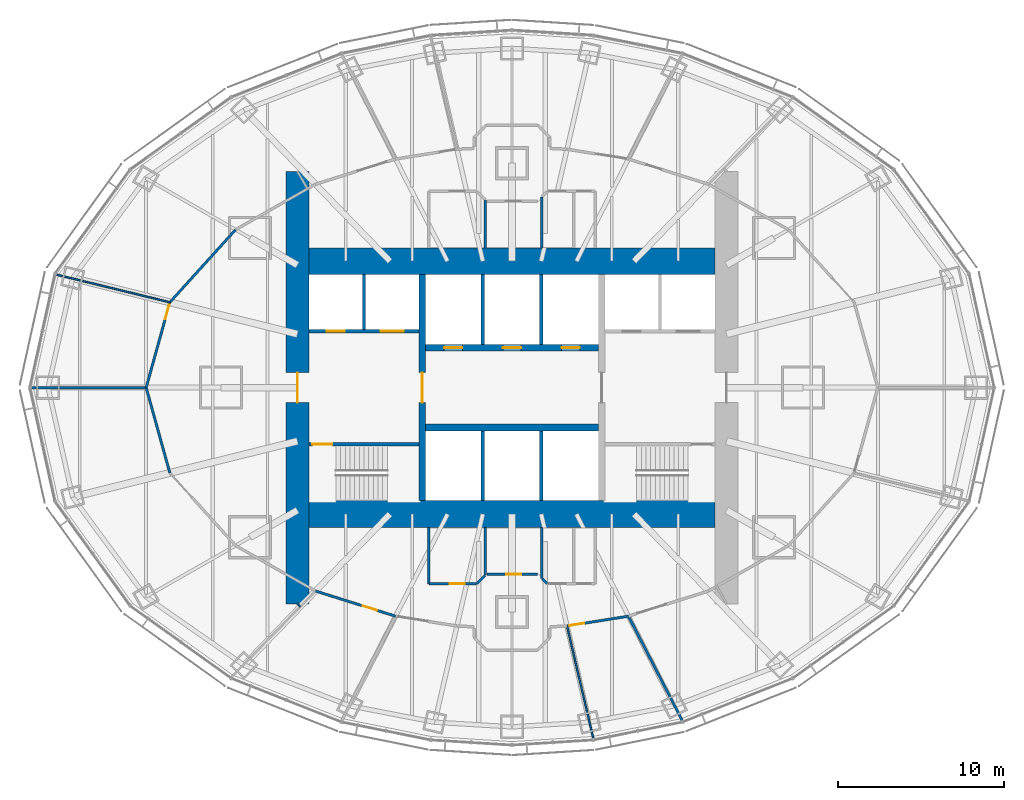
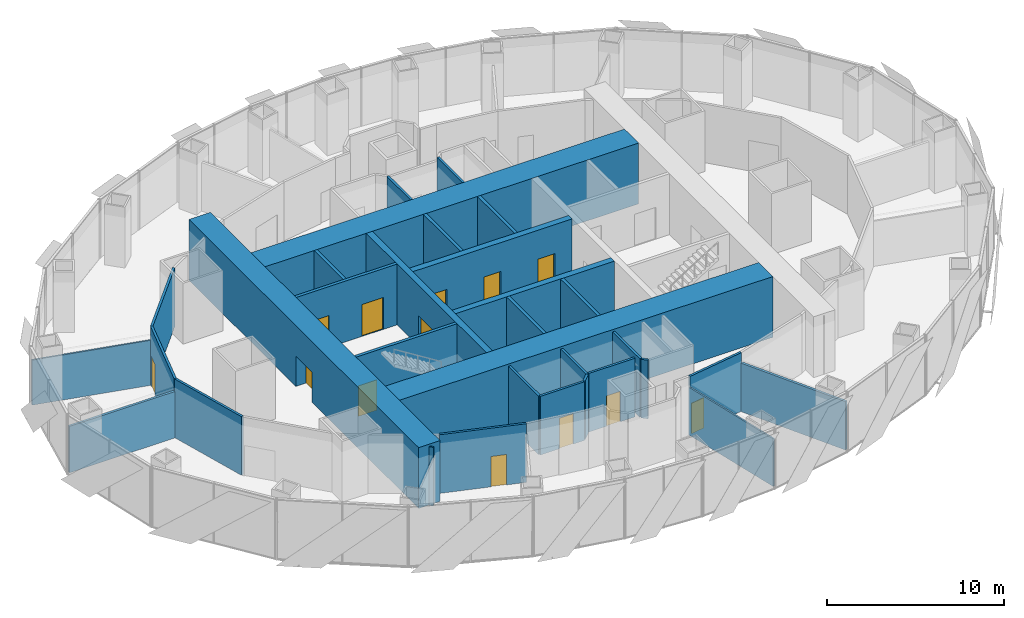
# One storey, part 11 of 18: 32 walls, 13 doors, 13 openings.
"""IFC4 building model written with IfcOpenShell, lengths in metres."""

from ifc_helpers import new_model, si_unit, direction, frame, frame_2d, origin, place, context, subcontext, project, spatial, rectangle, extrude, material, layer, layer_set, type_object, element, fill, save


model = new_model("IFC4")

# Units and contexts
model_context = context("Model", 3, precision=1e-05, world=origin(), true_north=direction((0.0, 1.0)))
body_context = subcontext(model_context, "Body", "Model", "MODEL_VIEW")
ifc_project = project(units=[si_unit("LENGTHUNIT", "METRE"), si_unit("AREAUNIT", "SQUARE_METRE"), si_unit("VOLUMEUNIT", "CUBIC_METRE"), si_unit("PLANEANGLEUNIT", "RADIAN"), si_unit("MASSUNIT", "GRAM", prefix="KILO")], contexts=[model_context])

# Site, building, storey
site_placement = place(None, origin())
site = spatial("IfcSite", under=ifc_project, at=site_placement, CompositionType="ELEMENT")
building_placement = place(site_placement, origin())
building = spatial("IfcBuilding", under=site, at=building_placement, Name="Lantaw Convention Tower", CompositionType="ELEMENT")
storey_placement = place(building_placement, frame((0.0, 0.0, 167.800048828125)))
storey = spatial("IfcBuildingStorey", under=building, at=storey_placement, Name="L39", CompositionType="ELEMENT", Elevation=167.800048828125)

# Wall, opening, door
ifc_material_1 = material(Name="Concrete C60/75", Category="concrete")
ifc_layer_1 = layer(ifc_material_1, 1.39990234375)
ifc_layer_set_1 = layer_set([ifc_layer_1], Name="Core wall 1400")
wall_type_1 = type_object("IfcWallType", Name="Core wall 1400", PredefinedType="SHEAR", material=ifc_layer_set_1)
wall_1_placement = place(storey_placement, frame((-12.89990234375, 13.0, 0.0), z_axis=(0.0, 0.0, 1.0), x_axis=(0.0, -1.0, 0.0)))
wall_1 = element("IfcWall", 1, at=wall_1_placement, inside=storey, type_object=wall_type_1, Name="Core wall W", PredefinedType="SHEAR", context=body_context, shape_type="SweptSolid", body=[
    extrude(rectangle(XDim=26.0, YDim=1.39990234375, at=frame_2d((13.0, 0.0))), origin(), (0.0, 0.0, 1.0), 4.199951171875),
])
opening_1_placement = place(wall_1_placement, frame((12.10009765625, 0.0, 0.0)))
opening_1 = element("IfcOpeningElement", 2, at=opening_1_placement, cuts=wall_1, Name="Opening L39.06", PredefinedType="OPENING", context=body_context, shape_type="SweptSolid", body=[
    extrude(rectangle(XDim=1.800048828125, YDim=2.10009765625, at=frame_2d((0.89990234375, 1.050048828125))), frame((0.0, 0.7099609375, 0.0), z_axis=(0.0, -1.0, 0.0), x_axis=(1.0, 0.0, 0.0)), (0.0, 0.0, 1.0), 1.419921875),
])
ifc_material_2 = material(Name="Steel, fire rated", Category="steel")
door_type_1 = type_object("IfcDoorType", Name="Lobby double door FD90", OperationType="DOUBLE_DOOR_DOUBLE_SWING", PredefinedType="DOOR", material=ifc_material_2)
door_1_placement = place(opening_1_placement, origin())
door_1 = element("IfcDoor", 3, at=door_1_placement, inside=storey, type_object=door_type_1, Name="Firefighting lobby door", OperationType="DOUBLE_DOOR_DOUBLE_SWING", OverallHeight=2.10009765625, OverallWidth=1.800048828125, PredefinedType="DOOR", context=body_context, shape_type="SweptSolid", body=[
    extrude(rectangle(XDim=1.800048828125, YDim=2.10009765625, at=frame_2d((0.89990234375, 1.050048828125))), frame((0.0, 0.02490234375, 0.0), z_axis=(0.0, -1.0, 0.0), x_axis=(1.0, 0.0, 0.0)), (0.0, 0.0, 1.0), 0.050048828125),
])
fill(opening_1, door_1)

# Walls
ifc_layer_2 = layer(ifc_material_1, 1.60009765625)
ifc_layer_set_2 = layer_set([ifc_layer_2], Name="Core wall 1600")
wall_type_2 = type_object("IfcWallType", Name="Core wall 1600", PredefinedType="SHEAR", material=ifc_layer_set_2)
for number, where, z_axis, x_axis, name in (
    (4, (-12.199951171875, -7.60009765625, 0.0), (0.0, 0.0, 1.0), (1.0, 0.0, 0.0), "Core wall S"),
    (5, (12.199951171875, 7.60009765625, 0.0), (0.0, 0.0, 1.0), (-1.0, 0.0, 0.0), "Core wall N"),
):
    element("IfcWall", number, at=place(storey_placement, frame(where, z_axis=z_axis, x_axis=x_axis)), inside=storey, type_object=wall_type_2, Name=name, PredefinedType="SHEAR", context=body_context, shape_type="SweptSolid", body=[
        extrude(rectangle(XDim=24.39990234375, YDim=1.60009765625, at=frame_2d((12.199951171875, 0.0))), origin(), (0.0, 0.0, 1.0), 4.199951171875),
    ])

# Wall, opening, door
ifc_layer_3 = layer(ifc_material_1, 0.199951171875)
ifc_layer_set_3 = layer_set([ifc_layer_3], Name="Core wall 200")
wall_type_3 = type_object("IfcWallType", Name="Core wall 200", PredefinedType="SHEAR", material=ifc_layer_set_3)
wall_2_placement = place(storey_placement, frame((-5.60009765625, -3.39990234375, 0.0), z_axis=(0.0, 0.0, 1.0), x_axis=(-1.0, 0.0, 0.0)))
wall_2 = element("IfcWall", 6, at=wall_2_placement, inside=storey, type_object=wall_type_3, Name="Core wall WS", PredefinedType="SHEAR", context=body_context, shape_type="SweptSolid", body=[
    extrude(rectangle(XDim=6.599853515625, YDim=0.199951171875, at=frame_2d((3.2998046875, 0.0))), origin(), (0.0, 0.0, 1.0), 4.199951171875),
])
opening_2_placement = place(wall_2_placement, frame((5.199951171875, 0.0, 0.0)))
opening_2 = element("IfcOpeningElement", 7, at=opening_2_placement, cuts=wall_2, Name="Opening L39.04", PredefinedType="OPENING", context=body_context, shape_type="SweptSolid", body=[
    extrude(rectangle(XDim=1.199951171875, YDim=2.10009765625, at=frame_2d((0.60009765625, 1.050048828125))), frame((0.0, 0.10986328125, 0.0), z_axis=(0.0, -1.0, 0.0), x_axis=(1.0, 0.0, 0.0)), (0.0, 0.0, 1.0), 0.219970703125),
])
door_type_2 = type_object("IfcDoorType", Name="Stair door FD90", OperationType="SINGLE_SWING_RIGHT", PredefinedType="DOOR", material=ifc_material_2)
door_2_placement = place(opening_2_placement, origin())
door_2 = element("IfcDoor", 8, at=door_2_placement, inside=storey, type_object=door_type_2, Name="Exit stair door", OperationType="SINGLE_SWING_RIGHT", OverallHeight=2.10009765625, OverallWidth=1.199951171875, PredefinedType="DOOR", context=body_context, shape_type="SweptSolid", body=[
    extrude(rectangle(XDim=1.199951171875, YDim=2.10009765625, at=frame_2d((0.60009765625, 1.050048828125))), frame((0.0, 0.02490234375, 0.0), z_axis=(0.0, -1.0, 0.0), x_axis=(1.0, 0.0, 0.0)), (0.0, 0.0, 1.0), 0.050048828125),
])
fill(opening_2, door_2)

ifc_layer_4 = layer(ifc_material_1, 0.39990234375)
ifc_layer_set_4 = layer_set([ifc_layer_4], Name="Core wall 400")
wall_type_4 = type_object("IfcWallType", Name="Core wall 400", PredefinedType="SHEAR", material=ifc_layer_set_4)
wall_3_placement = place(storey_placement, frame((-5.39990234375, 6.800048828125, 0.0), z_axis=(0.0, 0.0, 1.0), x_axis=(0.0, -1.0, 0.0)))
wall_3 = element("IfcWall", 9, at=wall_3_placement, inside=storey, type_object=wall_type_4, Name="Core wall XW", PredefinedType="SHEAR", context=body_context, shape_type="SweptSolid", body=[
    extrude(rectangle(XDim=13.60009765625, YDim=0.39990234375, at=frame_2d((6.800048828125, 0.0))), origin(), (0.0, 0.0, 1.0), 4.199951171875),
])
opening_3_placement = place(wall_3_placement, frame((5.89990234375, 0.0, 0.0)))
opening_3 = element("IfcOpeningElement", 10, at=opening_3_placement, cuts=wall_3, Name="Opening L39.02", PredefinedType="OPENING", context=body_context, shape_type="SweptSolid", body=[
    extrude(rectangle(XDim=1.800048828125, YDim=2.10009765625, at=frame_2d((0.89990234375, 1.050048828125))), frame((0.0, 0.2099609375, 0.0), z_axis=(0.0, -1.0, 0.0), x_axis=(1.0, 0.0, 0.0)), (0.0, 0.0, 1.0), 0.419921875),
])
door_3_placement = place(opening_3_placement, origin())
door_3 = element("IfcDoor", 11, at=door_3_placement, inside=storey, type_object=door_type_1, Name="Lift lobby door", OperationType="DOUBLE_DOOR_DOUBLE_SWING", OverallHeight=2.10009765625, OverallWidth=1.800048828125, PredefinedType="DOOR", context=body_context, shape_type="SweptSolid", body=[
    extrude(rectangle(XDim=1.800048828125, YDim=2.10009765625, at=frame_2d((0.89990234375, 1.050048828125))), frame((0.0, 0.02490234375, 0.0), z_axis=(0.0, -1.0, 0.0), x_axis=(1.0, 0.0, 0.0)), (0.0, 0.0, 1.0), 0.050048828125),
])
fill(opening_3, door_3)

# Wall
wall_4_placement = place(storey_placement, frame((-5.199951171875, -2.39990234375, 0.0), z_axis=(0.0, 0.0, 1.0), x_axis=(1.0, 0.0, 0.0)))
element("IfcWall", 12, at=wall_4_placement, inside=storey, type_object=wall_type_4, Name="Core wall BS", PredefinedType="SHEAR", context=body_context, shape_type="SweptSolid", body=[
    extrude(rectangle(XDim=10.39990234375, YDim=0.39990234375, at=frame_2d((5.199951171875, 0.0))), origin(), (0.0, 0.0, 1.0), 4.199951171875),
])

# Wall, openings, doors
wall_5_placement = place(storey_placement, frame((5.199951171875, 2.39990234375, 0.0), z_axis=(0.0, 0.0, 1.0), x_axis=(-1.0, 0.0, 0.0)))
wall_5 = element("IfcWall", 13, at=wall_5_placement, inside=storey, type_object=wall_type_4, Name="Core wall BN", PredefinedType="SHEAR", context=body_context, shape_type="SweptSolid", body=[
    extrude(rectangle(XDim=10.39990234375, YDim=0.39990234375, at=frame_2d((5.199951171875, 0.0))), origin(), (0.0, 0.0, 1.0), 4.199951171875),
])
opening_4_placement = place(wall_5_placement, frame((8.183349609375, 0.0, 0.0)))
opening_4 = element("IfcOpeningElement", 14, at=opening_4_placement, cuts=wall_5, Name="Opening L39.07", PredefinedType="OPENING", context=body_context, shape_type="SweptSolid", body=[
    extrude(rectangle(XDim=1.10009765625, YDim=2.199951171875, at=frame_2d((0.550048828125, 1.10009765625))), frame((0.0, 0.2099609375, 0.0), z_axis=(0.0, -1.0, 0.0), x_axis=(1.0, 0.0, 0.0)), (0.0, 0.0, 1.0), 0.419921875),
])
opening_5_placement = place(wall_5_placement, frame((4.64990234375, 0.0, 0.0)))
opening_5 = element("IfcOpeningElement", 15, at=opening_5_placement, cuts=wall_5, Name="Opening L39.08", PredefinedType="OPENING", context=body_context, shape_type="SweptSolid", body=[
    extrude(rectangle(XDim=1.10009765625, YDim=2.199951171875, at=frame_2d((0.550048828125, 1.10009765625))), frame((0.0, 0.2099609375, 0.0), z_axis=(0.0, -1.0, 0.0), x_axis=(1.0, 0.0, 0.0)), (0.0, 0.0, 1.0), 0.419921875),
])
opening_6_placement = place(wall_5_placement, frame((1.11669921875, 0.0, 0.0)))
opening_6 = element("IfcOpeningElement", 16, at=opening_6_placement, cuts=wall_5, Name="Opening L39.09", PredefinedType="OPENING", context=body_context, shape_type="SweptSolid", body=[
    extrude(rectangle(XDim=1.10009765625, YDim=2.199951171875, at=frame_2d((0.550048828125, 1.10009765625))), frame((0.0, 0.2099609375, 0.0), z_axis=(0.0, -1.0, 0.0), x_axis=(1.0, 0.0, 0.0)), (0.0, 0.0, 1.0), 0.419921875),
])
ifc_material_3 = material(Name="Stainless steel", Category="steel")
door_type_3 = type_object("IfcDoorType", Name="Lift landing door 1100", OperationType="DOUBLE_DOOR_SLIDING", PredefinedType="DOOR", material=ifc_material_3)
door_4_placement = place(opening_4_placement, origin())
door_4 = element("IfcDoor", 17, at=door_4_placement, inside=storey, type_object=door_type_3, Name="Lift landing door N1", OperationType="DOUBLE_DOOR_SLIDING", OverallHeight=2.199951171875, OverallWidth=1.10009765625, PredefinedType="DOOR", context=body_context, shape_type="SweptSolid", body=[
    extrude(rectangle(XDim=1.10009765625, YDim=2.199951171875, at=frame_2d((0.550048828125, 1.10009765625))), frame((0.0, 0.02490234375, 0.0), z_axis=(0.0, -1.0, 0.0), x_axis=(1.0, 0.0, 0.0)), (0.0, 0.0, 1.0), 0.050048828125),
])
fill(opening_4, door_4)
door_5_placement = place(opening_5_placement, origin())
door_5 = element("IfcDoor", 18, at=door_5_placement, inside=storey, type_object=door_type_3, Name="Lift landing door N2", OperationType="DOUBLE_DOOR_SLIDING", OverallHeight=2.199951171875, OverallWidth=1.10009765625, PredefinedType="DOOR", context=body_context, shape_type="SweptSolid", body=[
    extrude(rectangle(XDim=1.10009765625, YDim=2.199951171875, at=frame_2d((0.550048828125, 1.10009765625))), frame((0.0, 0.02490234375, 0.0), z_axis=(0.0, -1.0, 0.0), x_axis=(1.0, 0.0, 0.0)), (0.0, 0.0, 1.0), 0.050048828125),
])
fill(opening_5, door_5)
door_6_placement = place(opening_6_placement, origin())
door_6 = element("IfcDoor", 19, at=door_6_placement, inside=storey, type_object=door_type_3, Name="Lift landing door N3", OperationType="DOUBLE_DOOR_SLIDING", OverallHeight=2.199951171875, OverallWidth=1.10009765625, PredefinedType="DOOR", context=body_context, shape_type="SweptSolid", body=[
    extrude(rectangle(XDim=1.10009765625, YDim=2.199951171875, at=frame_2d((0.550048828125, 1.10009765625))), frame((0.0, 0.02490234375, 0.0), z_axis=(0.0, -1.0, 0.0), x_axis=(1.0, 0.0, 0.0)), (0.0, 0.0, 1.0), 0.050048828125),
])
fill(opening_6, door_6)

# Wall
ifc_material_4 = material(Name="Gypsum board on steel studs, fire rated", Category="steel")
ifc_layer_5 = layer(ifc_material_4, 0.14990234375)
ifc_layer_set_5 = layer_set([ifc_layer_5], Name="Corridor wall 150 EI 60")
wall_type_5 = type_object("IfcWallType", Name="Corridor wall 150 EI 60", PredefinedType="PARTITIONING", material=ifc_layer_set_5)
wall_6_placement = place(storey_placement, frame((-16.62255859375, 9.49853515625, 0.0), z_axis=(0.0, 0.0, 1.0), x_axis=(-0.671118353743, -0.741350224435, 0.0)))
element("IfcWall", 20, at=wall_6_placement, inside=storey, type_object=wall_type_5, Name="Corridor wall 150", PredefinedType="PARTITIONING", context=body_context, shape_type="SweptSolid", body=[
    extrude(rectangle(XDim=5.89208984375, YDim=0.14990234375, at=frame_2d((2.946044921875, 0.0))), origin(), (0.0, 0.0, 1.0), 4.050048828125),
])

# Wall, opening, door
wall_7_placement = place(storey_placement, frame((-20.576904296875, 5.13037109375, 0.0), z_axis=(0.0, 0.0, 1.0), x_axis=(-0.267293817428, -0.963615076244, 0.0)))
wall_7 = element("IfcWall", 21, at=wall_7_placement, inside=storey, type_object=wall_type_5, Name="Corridor wall 150", PredefinedType="PARTITIONING", context=body_context, shape_type="SweptSolid", body=[
    extrude(rectangle(XDim=5.323974609375, YDim=0.14990234375, at=frame_2d((2.662109375, 0.0))), origin(), (0.0, 0.0, 1.0), 4.050048828125),
])
opening_7_placement = place(wall_7_placement, frame((0.14990234375, 0.0, 0.0)))
opening_7 = element("IfcOpeningElement", 22, at=opening_7_placement, cuts=wall_7, Name="Opening L39.27", PredefinedType="OPENING", context=body_context, shape_type="SweptSolid", body=[
    extrude(rectangle(XDim=0.89990234375, YDim=2.10009765625, at=frame_2d((0.449951171875, 1.050048828125))), frame((0.0, 0.0849609375, 0.0), z_axis=(0.0, -1.0, 0.0), x_axis=(1.0, 0.0, 0.0)), (0.0, 0.0, 1.0), 0.169921875),
])
door_type_4 = type_object("IfcDoorType", Name="Office door 900 FD30", OperationType="SINGLE_SWING_LEFT", PredefinedType="DOOR", material=ifc_material_2)
door_7_placement = place(opening_7_placement, origin())
door_7 = element("IfcDoor", 23, at=door_7_placement, inside=storey, type_object=door_type_4, Name="Meeting room door", OperationType="SINGLE_SWING_LEFT", OverallHeight=2.10009765625, OverallWidth=0.89990234375, PredefinedType="DOOR", context=body_context, shape_type="SweptSolid", body=[
    extrude(rectangle(XDim=0.89990234375, YDim=2.10009765625, at=frame_2d((0.449951171875, 1.050048828125))), frame((0.0, 0.02490234375, 0.0), z_axis=(0.0, -1.0, 0.0), x_axis=(1.0, 0.0, 0.0)), (0.0, 0.0, 1.0), 0.050048828125),
])
fill(opening_7, door_7)

# Wall
wall_8_placement = place(storey_placement, frame((-22.0, 0.0, 0.0), z_axis=(0.0, 0.0, 1.0), x_axis=(0.267293817428, -0.963615076244, 0.0)))
element("IfcWall", 24, at=wall_8_placement, inside=storey, type_object=wall_type_5, Name="Corridor wall 150", PredefinedType="PARTITIONING", context=body_context, shape_type="SweptSolid", body=[
    extrude(rectangle(XDim=5.323974609375, YDim=0.14990234375, at=frame_2d((2.662109375, 0.0))), origin(), (0.0, 0.0, 1.0), 4.050048828125),
])

# Wall, opening, door
wall_9_placement = place(storey_placement, frame((-11.812744140625, -12.232421875, 0.0), z_axis=(0.0, 0.0, 1.0), x_axis=(0.953893934057, -0.300143903101, 0.0)))
wall_9 = element("IfcWall", 25, at=wall_9_placement, inside=storey, type_object=wall_type_5, Name="Corridor wall 150", PredefinedType="PARTITIONING", context=body_context, shape_type="SweptSolid", body=[
    extrude(rectangle(XDim=5.04150390625, YDim=0.14990234375, at=frame_2d((2.520751953125, 0.0))), origin(), (0.0, 0.0, 1.0), 4.050048828125),
])
opening_8_placement = place(wall_9_placement, frame((2.98046875, 0.0, 0.0)))
opening_8 = element("IfcOpeningElement", 26, at=opening_8_placement, cuts=wall_9, Name="Opening L39.29", PredefinedType="OPENING", context=body_context, shape_type="SweptSolid", body=[
    extrude(rectangle(XDim=0.89990234375, YDim=2.10009765625, at=frame_2d((0.449951171875, 1.050048828125))), frame((0.0, 0.0849609375, 0.0), z_axis=(0.0, -1.0, 0.0), x_axis=(1.0, 0.0, 0.0)), (0.0, 0.0, 1.0), 0.169921875),
])
door_8_placement = place(opening_8_placement, origin())
door_8 = element("IfcDoor", 27, at=door_8_placement, inside=storey, type_object=door_type_4, Name="Meeting room door", OperationType="SINGLE_SWING_LEFT", OverallHeight=2.10009765625, OverallWidth=0.89990234375, PredefinedType="DOOR", context=body_context, shape_type="SweptSolid", body=[
    extrude(rectangle(XDim=0.89990234375, YDim=2.10009765625, at=frame_2d((0.449951171875, 1.050048828125))), frame((0.0, 0.02490234375, 0.0), z_axis=(0.0, -1.0, 0.0), x_axis=(1.0, 0.0, 0.0)), (0.0, 0.0, 1.0), 0.050048828125),
])
fill(opening_8, door_8)

wall_10_placement = place(storey_placement, frame((3.3095703125, -14.3349609375, 0.0), z_axis=(0.0, 0.0, 1.0), x_axis=(0.987511396594, 0.157547585181, 0.0)))
wall_10 = element("IfcWall", 28, at=wall_10_placement, inside=storey, type_object=wall_type_5, Name="Corridor wall 150", PredefinedType="PARTITIONING", context=body_context, shape_type="SweptSolid", body=[
    extrude(rectangle(XDim=3.74072265625, YDim=0.14990234375, at=frame_2d((1.870361328125, 0.0))), origin(), (0.0, 0.0, 1.0), 4.050048828125),
])
opening_9_placement = place(wall_10_placement, frame((0.14990234375, 0.0, 0.0)))
opening_9 = element("IfcOpeningElement", 29, at=opening_9_placement, cuts=wall_10, Name="Opening L39.31", PredefinedType="OPENING", context=body_context, shape_type="SweptSolid", body=[
    extrude(rectangle(XDim=0.89990234375, YDim=2.10009765625, at=frame_2d((0.449951171875, 1.050048828125))), frame((0.0, 0.0849609375, 0.0), z_axis=(0.0, -1.0, 0.0), x_axis=(1.0, 0.0, 0.0)), (0.0, 0.0, 1.0), 0.169921875),
])
door_9_placement = place(opening_9_placement, origin())
door_9 = element("IfcDoor", 30, at=door_9_placement, inside=storey, type_object=door_type_4, Name="Meeting room door", OperationType="SINGLE_SWING_LEFT", OverallHeight=2.10009765625, OverallWidth=0.89990234375, PredefinedType="DOOR", context=body_context, shape_type="SweptSolid", body=[
    extrude(rectangle(XDim=0.89990234375, YDim=2.10009765625, at=frame_2d((0.449951171875, 1.050048828125))), frame((0.0, 0.02490234375, 0.0), z_axis=(0.0, -1.0, 0.0), x_axis=(1.0, 0.0, 0.0)), (0.0, 0.0, 1.0), 0.050048828125),
])
fill(opening_9, door_9)

# Walls
ifc_material_5 = material(Name="Gypsum board on steel studs, acoustic", Category="steel")
ifc_layer_6 = layer(ifc_material_5, 0.10009765625)
ifc_layer_set_6 = layer_set([ifc_layer_6], Name="Office partition 100")
wall_type_6 = type_object("IfcWallType", Name="Office partition 100", PredefinedType="PARTITIONING", material=ifc_layer_set_6)
wall_11_placement = place(storey_placement, frame((-27.440673828125, 6.808837890625, 0.0), z_axis=(0.0, 0.0, 1.0), x_axis=(0.971377572955, -0.237540755996, 0.0)))
element("IfcWall", 31, at=wall_11_placement, inside=storey, type_object=wall_type_6, Name="Office partition 100", PredefinedType="PARTITIONING", context=body_context, shape_type="SweptSolid", body=[
    extrude(rectangle(XDim=7.06591796875, YDim=0.10009765625, at=frame_2d((3.532958984375, 0.0))), origin(), (0.0, 0.0, 1.0), 3.11279296875),
])
wall_12_placement = place(storey_placement, frame((4.89697265625, -21.134765625, 0.0), z_axis=(0.0, 0.0, 1.0), x_axis=(-0.22733572198, 0.973816445493, 0.0)))
element("IfcWall", 32, at=wall_12_placement, inside=storey, type_object=wall_type_6, Name="Office partition 100", PredefinedType="PARTITIONING", context=body_context, shape_type="SweptSolid", body=[
    extrude(rectangle(XDim=6.982666015625, YDim=0.10009765625, at=frame_2d((3.4912109375, 0.0))), origin(), (0.0, 0.0, 1.0), 3.29296875),
])
wall_13_placement = place(storey_placement, frame((-12.89990234375, -13.0, 0.0), z_axis=(0.0, 0.0, 1.0), x_axis=(0.714690391061, -0.699440951707, 0.0)))
element("IfcWall", 33, at=wall_13_placement, inside=storey, type_object=wall_type_6, Name="Office partition 100", PredefinedType="PARTITIONING", context=body_context, shape_type="SweptSolid", body=[
    extrude(rectangle(XDim=0.240234375, YDim=0.10009765625, at=frame_2d((0.1201171875, 0.0))), origin(), (0.0, 0.0, 1.0), 4.050048828125),
])
ifc_material_6 = material(Name="Concrete blockwork, fire rated", Category="masonry")
ifc_layer_7 = layer(ifc_material_6, 0.199951171875)
ifc_layer_set_7 = layer_set([ifc_layer_7], Name="Shaft wall 200")
wall_type_7 = type_object("IfcWallType", Name="Shaft wall 200", PredefinedType="SOLIDWALL", material=ifc_layer_set_7)
for number, where, z_axis, x_axis, name in (
    (34, (-1.7666015625, 2.60009765625, 0.0), (0.0, 0.0, 1.0), (0.0, 1.0, 0.0), "Shaft wall DN1"),
    (35, (1.7666015625, 2.60009765625, 0.0), (0.0, 0.0, 1.0), (0.0, 1.0, 0.0), "Shaft wall DN2"),
):
    element("IfcWall", number, at=place(storey_placement, frame(where, z_axis=z_axis, x_axis=x_axis)), inside=storey, type_object=wall_type_7, Name=name, PredefinedType="SOLIDWALL", context=body_context, shape_type="SweptSolid", body=[
        extrude(rectangle(XDim=4.199951171875, YDim=0.199951171875, at=frame_2d((2.10009765625, 0.0))), origin(), (0.0, 0.0, 1.0), 4.199951171875),
    ])

# Wall, openings, doors
wall_14_placement = place(storey_placement, frame((-12.199951171875, 3.39990234375, 0.0), z_axis=(0.0, 0.0, 1.0), x_axis=(1.0, 0.0, 0.0)))
wall_14 = element("IfcWall", 36, at=wall_14_placement, inside=storey, type_object=wall_type_7, Name="Shaft wall WN", PredefinedType="SOLIDWALL", context=body_context, shape_type="SweptSolid", body=[
    extrude(rectangle(XDim=6.599853515625, YDim=0.199951171875, at=frame_2d((3.2998046875, 0.0))), origin(), (0.0, 0.0, 1.0), 4.199951171875),
])
opening_10_placement = place(wall_14_placement, frame((1.050048828125, 0.0, 0.0)))
opening_10 = element("IfcOpeningElement", 37, at=opening_10_placement, cuts=wall_14, Name="Opening L39.10", PredefinedType="OPENING", context=body_context, shape_type="SweptSolid", body=[
    extrude(rectangle(XDim=1.10009765625, YDim=2.199951171875, at=frame_2d((0.550048828125, 1.10009765625))), frame((0.0, 0.10986328125, 0.0), z_axis=(0.0, -1.0, 0.0), x_axis=(1.0, 0.0, 0.0)), (0.0, 0.0, 1.0), 0.219970703125),
])
opening_11_placement = place(wall_14_placement, frame((4.300048828125, 0.0, 0.0)))
opening_11 = element("IfcOpeningElement", 38, at=opening_11_placement, cuts=wall_14, Name="Opening L39.11", PredefinedType="OPENING", context=body_context, shape_type="SweptSolid", body=[
    extrude(rectangle(XDim=1.39990234375, YDim=2.199951171875, at=frame_2d((0.699951171875, 1.10009765625))), frame((0.0, 0.10986328125, 0.0), z_axis=(0.0, -1.0, 0.0), x_axis=(1.0, 0.0, 0.0)), (0.0, 0.0, 1.0), 0.219970703125),
])
door_10_placement = place(opening_10_placement, origin())
door_10 = element("IfcDoor", 39, at=door_10_placement, inside=storey, type_object=door_type_3, Name="Lift landing door FF1", OperationType="DOUBLE_DOOR_SLIDING", OverallHeight=2.199951171875, OverallWidth=1.10009765625, PredefinedType="DOOR", context=body_context, shape_type="SweptSolid", body=[
    extrude(rectangle(XDim=1.10009765625, YDim=2.199951171875, at=frame_2d((0.550048828125, 1.10009765625))), frame((0.0, 0.02490234375, 0.0), z_axis=(0.0, -1.0, 0.0), x_axis=(1.0, 0.0, 0.0)), (0.0, 0.0, 1.0), 0.050048828125),
])
fill(opening_10, door_10)
door_type_5 = type_object("IfcDoorType", Name="Lift landing door 1400", OperationType="DOUBLE_DOOR_SLIDING", PredefinedType="DOOR", material=ifc_material_3)
door_11_placement = place(opening_11_placement, origin())
door_11 = element("IfcDoor", 40, at=door_11_placement, inside=storey, type_object=door_type_5, Name="Lift landing door SV1", OperationType="DOUBLE_DOOR_SLIDING", OverallHeight=2.199951171875, OverallWidth=1.39990234375, PredefinedType="DOOR", context=body_context, shape_type="SweptSolid", body=[
    extrude(rectangle(XDim=1.39990234375, YDim=2.199951171875, at=frame_2d((0.699951171875, 1.10009765625))), frame((0.0, 0.02490234375, 0.0), z_axis=(0.0, -1.0, 0.0), x_axis=(1.0, 0.0, 0.0)), (0.0, 0.0, 1.0), 0.050048828125),
])
fill(opening_11, door_11)

# Walls
wall_15_placement = place(storey_placement, frame((-8.89990234375, 3.5, 0.0), z_axis=(0.0, 0.0, 1.0), x_axis=(0.0, 1.0, 0.0)))
element("IfcWall", 41, at=wall_15_placement, inside=storey, type_object=wall_type_7, Name="Shaft wall WD", PredefinedType="SOLIDWALL", context=body_context, shape_type="SweptSolid", body=[
    extrude(rectangle(XDim=3.300048828125, YDim=0.199951171875, at=frame_2d((1.64990234375, 0.0))), origin(), (0.0, 0.0, 1.0), 4.199951171875),
])
ifc_layer_8 = layer(ifc_material_6, 0.199951171875)
ifc_layer_set_8 = layer_set([ifc_layer_8], Name="Shaft wall 200 load-bearing")
wall_type_8 = type_object("IfcWallType", Name="Shaft wall 200 load-bearing", PredefinedType="SOLIDWALL", material=ifc_layer_set_8)
for number, where, z_axis, x_axis, name in (
    (42, (-1.7666015625, -2.60009765625, 0.0), (0.0, 0.0, 1.0), (0.0, -1.0, 0.0), "Shaft wall DS1"),
    (43, (1.7666015625, -2.60009765625, 0.0), (0.0, 0.0, 1.0), (0.0, -1.0, 0.0), "Shaft wall DS2"),
):
    element("IfcWall", number, at=place(storey_placement, frame(where, z_axis=z_axis, x_axis=x_axis)), inside=storey, type_object=wall_type_8, Name=name, PredefinedType="SOLIDWALL", context=body_context, shape_type="SweptSolid", body=[
        extrude(rectangle(XDim=4.199951171875, YDim=0.199951171875, at=frame_2d((2.10009765625, 0.0))), origin(), (0.0, 0.0, 1.0), 4.199951171875),
    ])
ifc_layer_9 = layer(ifc_material_4, 0.14990234375)
ifc_layer_set_9 = layer_set([ifc_layer_9], Name="Tenant separation wall 150 EI 60")
wall_type_9 = type_object("IfcWallType", Name="Tenant separation wall 150 EI 60", PredefinedType="PARTITIONING", material=ifc_layer_set_9)
wall_16_placement = place(storey_placement, frame((-28.944091796875, 0.0, 0.0), z_axis=(0.0, 0.0, 1.0), x_axis=(1.0, 0.0, 0.0)))
element("IfcWall", 44, at=wall_16_placement, inside=storey, type_object=wall_type_9, Name="Tenant separation wall 150", PredefinedType="PARTITIONING", context=body_context, shape_type="SweptSolid", body=[
    extrude(rectangle(XDim=6.944091796875, YDim=0.14990234375, at=frame_2d((3.47216796875, 0.0))), origin(), (0.0, 0.0, 1.0), 3.2041015625),
])
wall_17_placement = place(storey_placement, frame((10.25341796875, -20.0517578125, 0.0), z_axis=(0.0, 0.0, 1.0), x_axis=(-0.458082677592, 0.888909590729, 0.0)))
element("IfcWall", 45, at=wall_17_placement, inside=storey, type_object=wall_type_9, Name="Tenant separation wall 150", PredefinedType="PARTITIONING", context=body_context, shape_type="SweptSolid", body=[
    extrude(rectangle(XDim=7.09423828125, YDim=0.14990234375, at=frame_2d((3.547119140625, 0.0))), origin(), (0.0, 0.0, 1.0), 3.348876953125),
])
ifc_material_7 = material(Name="Concrete blockwork", Category="masonry")
ifc_layer_10 = layer(ifc_material_7, 0.14990234375)
ifc_layer_set_10 = layer_set([ifc_layer_10], Name="WC wall 150")
wall_type_10 = type_object("IfcWallType", Name="WC wall 150", PredefinedType="SOLIDWALL", material=ifc_layer_set_10)
wall_18_placement = place(storey_placement, frame((-5.0, -8.39990234375, 0.0), z_axis=(0.0, 0.0, 1.0), x_axis=(0.0, -1.0, 0.0)))
element("IfcWall", 46, at=wall_18_placement, inside=storey, type_object=wall_type_10, Name="WC wall 150", PredefinedType="SOLIDWALL", context=body_context, shape_type="SweptSolid", body=[
    extrude(rectangle(XDim=3.400146484375, YDim=0.14990234375, at=frame_2d((1.7001953125, 0.0))), origin(), (0.0, 0.0, 1.0), 4.050048828125),
])

# Wall, opening, door
wall_19_placement = place(storey_placement, frame((-5.0, -11.800048828125, 0.0), z_axis=(0.0, 0.0, 1.0), x_axis=(1.0, 0.0, 0.0)))
wall_19 = element("IfcWall", 47, at=wall_19_placement, inside=storey, type_object=wall_type_10, Name="WC wall 150", PredefinedType="SOLIDWALL", context=body_context, shape_type="SweptSolid", body=[
    extrude(rectangle(XDim=2.86865234375, YDim=0.14990234375, at=frame_2d((1.434326171875, 0.0))), origin(), (0.0, 0.0, 1.0), 4.050048828125),
])
opening_12_placement = place(wall_19_placement, frame((1.25, 0.0, 0.0)))
opening_12 = element("IfcOpeningElement", 48, at=opening_12_placement, cuts=wall_19, Name="Opening L39.18", PredefinedType="OPENING", context=body_context, shape_type="SweptSolid", body=[
    extrude(rectangle(XDim=0.89990234375, YDim=2.10009765625, at=frame_2d((0.449951171875, 1.050048828125))), frame((0.0, 0.0849609375, 0.0), z_axis=(0.0, -1.0, 0.0), x_axis=(1.0, 0.0, 0.0)), (0.0, 0.0, 1.0), 0.169921875),
])
ifc_material_8 = material(Name="Timber", Category="wood")
door_type_6 = type_object("IfcDoorType", Name="WC door 900", OperationType="SINGLE_SWING_LEFT", PredefinedType="DOOR", material=ifc_material_8)
door_12_placement = place(opening_12_placement, origin())
door_12 = element("IfcDoor", 49, at=door_12_placement, inside=storey, type_object=door_type_6, Name="Male WC door", OperationType="SINGLE_SWING_LEFT", OverallHeight=2.10009765625, OverallWidth=0.89990234375, PredefinedType="DOOR", context=body_context, shape_type="SweptSolid", body=[
    extrude(rectangle(XDim=0.89990234375, YDim=2.10009765625, at=frame_2d((0.449951171875, 1.050048828125))), frame((0.0, 0.02490234375, 0.0), z_axis=(0.0, -1.0, 0.0), x_axis=(1.0, 0.0, 0.0)), (0.0, 0.0, 1.0), 0.050048828125),
])
fill(opening_12, door_12)

# Walls
wall_20_placement = place(storey_placement, frame((-1.60009765625, -8.39990234375, 0.0), z_axis=(0.0, 0.0, 1.0), x_axis=(0.0, -1.0, 0.0)))
element("IfcWall", 50, at=wall_20_placement, inside=storey, type_object=wall_type_10, Name="WC wall 150", PredefinedType="SOLIDWALL", context=body_context, shape_type="SweptSolid", body=[
    extrude(rectangle(XDim=2.86865234375, YDim=0.14990234375, at=frame_2d((1.434326171875, 0.0))), origin(), (0.0, 0.0, 1.0), 4.050048828125),
])
wall_21_placement = place(storey_placement, frame((1.800048828125, -8.39990234375, 0.0), z_axis=(0.0, 0.0, 1.0), x_axis=(0.0, -1.0, 0.0)))
element("IfcWall", 51, at=wall_21_placement, inside=storey, type_object=wall_type_10, Name="WC wall 150", PredefinedType="SOLIDWALL", context=body_context, shape_type="SweptSolid", body=[
    extrude(rectangle(XDim=3.068603515625, YDim=0.14990234375, at=frame_2d((1.5341796875, 0.0))), origin(), (0.0, 0.0, 1.0), 4.050048828125),
])
wall_22_placement = place(storey_placement, frame((-2.101318359375, -11.7841796875, 0.0), z_axis=(0.0, 0.0, 1.0), x_axis=(0.706928959799, 0.707284557867, 0.0)))
element("IfcWall", 52, at=wall_22_placement, inside=storey, type_object=wall_type_10, Name="WC wall 150", PredefinedType="SOLIDWALL", context=body_context, shape_type="SweptSolid", body=[
    extrude(rectangle(XDim=0.6865234375, YDim=0.14990234375, at=frame_2d((0.34326171875, 0.0))), origin(), (0.0, 0.0, 1.0), 4.050048828125),
])

# Wall, opening, door
wall_23_placement = place(storey_placement, frame((-1.4951171875, -11.215087890625, 0.0), z_axis=(0.0, 0.0, 1.0), x_axis=(1.0, 0.0, 0.0)))
wall_23 = element("IfcWall", 53, at=wall_23_placement, inside=storey, type_object=wall_type_10, Name="WC wall 150", PredefinedType="SOLIDWALL", context=body_context, shape_type="SweptSolid", body=[
    extrude(rectangle(XDim=3.02734375, YDim=0.14990234375, at=frame_2d((1.513671875, 0.0))), origin(), (0.0, 0.0, 1.0), 4.050048828125),
])
opening_13_placement = place(wall_23_placement, frame((1.14990234375, 0.0, 0.0)))
opening_13 = element("IfcOpeningElement", 54, at=opening_13_placement, cuts=wall_23, Name="Opening L39.19", PredefinedType="OPENING", context=body_context, shape_type="SweptSolid", body=[
    extrude(rectangle(XDim=0.89990234375, YDim=2.10009765625, at=frame_2d((0.449951171875, 1.050048828125))), frame((0.0, 0.0849609375, 0.0), z_axis=(0.0, -1.0, 0.0), x_axis=(1.0, 0.0, 0.0)), (0.0, 0.0, 1.0), 0.169921875),
])
door_13_placement = place(opening_13_placement, origin())
door_13 = element("IfcDoor", 55, at=door_13_placement, inside=storey, type_object=door_type_6, Name="Female WC door", OperationType="SINGLE_SWING_LEFT", OverallHeight=2.10009765625, OverallWidth=0.89990234375, PredefinedType="DOOR", context=body_context, shape_type="SweptSolid", body=[
    extrude(rectangle(XDim=0.89990234375, YDim=2.10009765625, at=frame_2d((0.449951171875, 1.050048828125))), frame((0.0, 0.02490234375, 0.0), z_axis=(0.0, -1.0, 0.0), x_axis=(1.0, 0.0, 0.0)), (0.0, 0.0, 1.0), 0.050048828125),
])
fill(opening_13, door_13)

# Walls
wall_24_placement = place(storey_placement, frame((1.81591796875, -11.49853515625, 0.0), z_axis=(0.0, 0.0, 1.0), x_axis=(0.706804405012, -0.707409028113, 0.0)))
element("IfcWall", 56, at=wall_24_placement, inside=storey, type_object=wall_type_10, Name="WC wall 150", PredefinedType="SOLIDWALL", context=body_context, shape_type="SweptSolid", body=[
    extrude(rectangle(XDim=0.40380859375, YDim=0.14990234375, at=frame_2d((0.201904296875, 0.0))), origin(), (0.0, 0.0, 1.0), 4.050048828125),
])
wall_25_placement = place(storey_placement, frame((-1.60009765625, 8.39990234375, 0.0), z_axis=(0.0, 0.0, 1.0), x_axis=(0.0, 1.0, 0.0)))
element("IfcWall", 57, at=wall_25_placement, inside=storey, type_object=wall_type_10, Name="WC wall 150", PredefinedType="SOLIDWALL", context=body_context, shape_type="SweptSolid", body=[
    extrude(rectangle(XDim=2.86865234375, YDim=0.14990234375, at=frame_2d((1.434326171875, 0.0))), origin(), (0.0, 0.0, 1.0), 4.050048828125),
])
wall_26_placement = place(storey_placement, frame((1.800048828125, 8.39990234375, 0.0), z_axis=(0.0, 0.0, 1.0), x_axis=(0.0, 1.0, 0.0)))
element("IfcWall", 58, at=wall_26_placement, inside=storey, type_object=wall_type_10, Name="WC wall 150", PredefinedType="SOLIDWALL", context=body_context, shape_type="SweptSolid", body=[
    extrude(rectangle(XDim=3.068603515625, YDim=0.14990234375, at=frame_2d((1.5341796875, 0.0))), origin(), (0.0, 0.0, 1.0), 4.050048828125),
])

save(model, "model.ifc")
